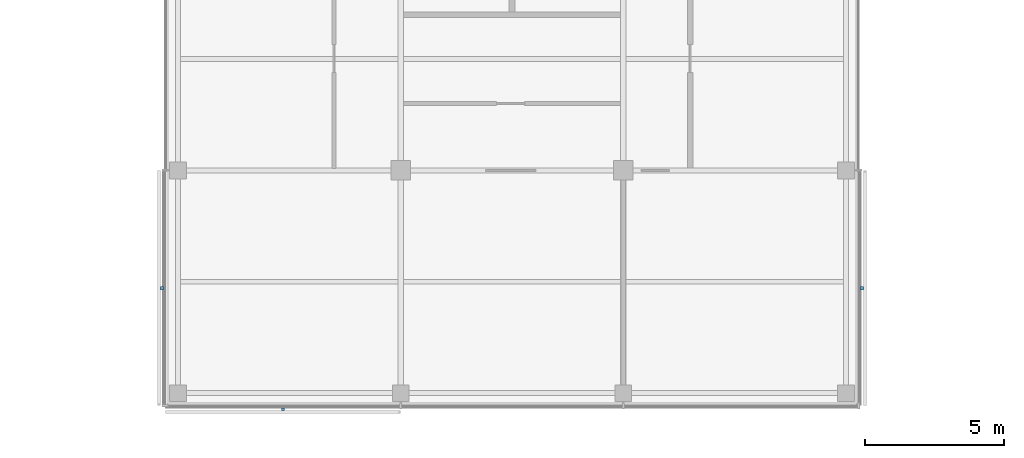
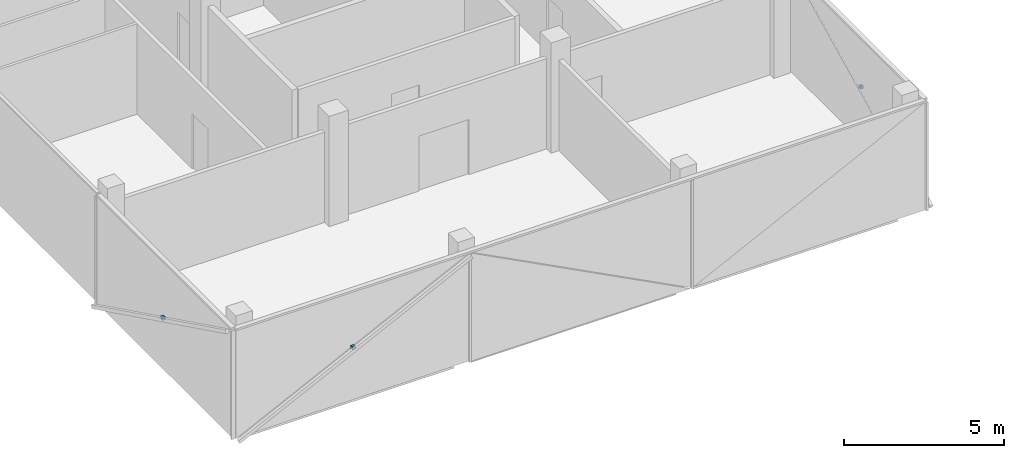
# One storey, part 14 of 16: 3 discrete accessories.
"""IFC4 building model written with IfcOpenShell, lengths in metres."""

from ifc_helpers import new_model, si_unit, direction, frame, origin, origin_2d, place, context, subcontext, project, spatial, rectangle, extrude, material, type_object, element, save


model = new_model("IFC4")

# Units and contexts
model_context = context("Model", 3, precision=1e-05, world=origin(), true_north=direction((0.0, 1.0)))
body_context = subcontext(model_context, "Body", "Model", "MODEL_VIEW")
ifc_project = project(units=[si_unit("LENGTHUNIT", "METRE"), si_unit("AREAUNIT", "SQUARE_METRE"), si_unit("VOLUMEUNIT", "CUBIC_METRE"), si_unit("PLANEANGLEUNIT", "RADIAN"), si_unit("MASSUNIT", "GRAM", prefix="KILO")], contexts=[model_context])

# Site, building, storey
site_placement = place(None, origin())
site = spatial("IfcSite", under=ifc_project, at=site_placement, CompositionType="ELEMENT")
building_placement = place(site_placement, origin())
building = spatial("IfcBuilding", under=site, at=building_placement, Name="Crosswind Convention Tower", CompositionType="ELEMENT")
storey_placement = place(building_placement, frame((0.0, 0.0, 291.300048828125)))
storey = spatial("IfcBuildingStorey", under=building, at=storey_placement, Name="L63", CompositionType="ELEMENT", Elevation=291.300048828125)

# Discrete accessories
ifc_material = material(Name="Stainless steel", Category="steel")
discrete_accessory_type = type_object("IfcDiscreteAccessoryType", Name="BAGUETTE BRACKET BK3", PredefinedType="BRACKET", material=ifc_material)
for number, where, z_axis, x_axis, name in (
    (1, (112.424072265625, 75.77001953125, 1.704833984375), (0.0, 0.0, 1.0), (0.0, -1.0, 0.0), "BK3 baguette bracket"),
    (2, (116.77001953125, 71.424072265625, 1.704833984375), (0.0, 0.0, 1.0), (1.0, 0.0, 0.0), "BK3 baguette bracket"),
    (3, (137.575927734375, 75.77001953125, 1.704833984375), (0.0, 0.0, 1.0), (0.0, 1.0, 0.0), "BK3 baguette bracket"),
):
    element("IfcDiscreteAccessory", number, at=place(storey_placement, frame(where, z_axis=z_axis, x_axis=x_axis)), inside=storey, type_object=discrete_accessory_type, Name=name, PredefinedType="BRACKET", context=body_context, shape_type="SweptSolid", body=[
        extrude(rectangle(XDim=0.1201171875, YDim=0.10009765625, at=origin_2d()), origin(), (0.0, 0.0, 1.0), 0.1201171875),
    ])

save(model, "model.ifc")
